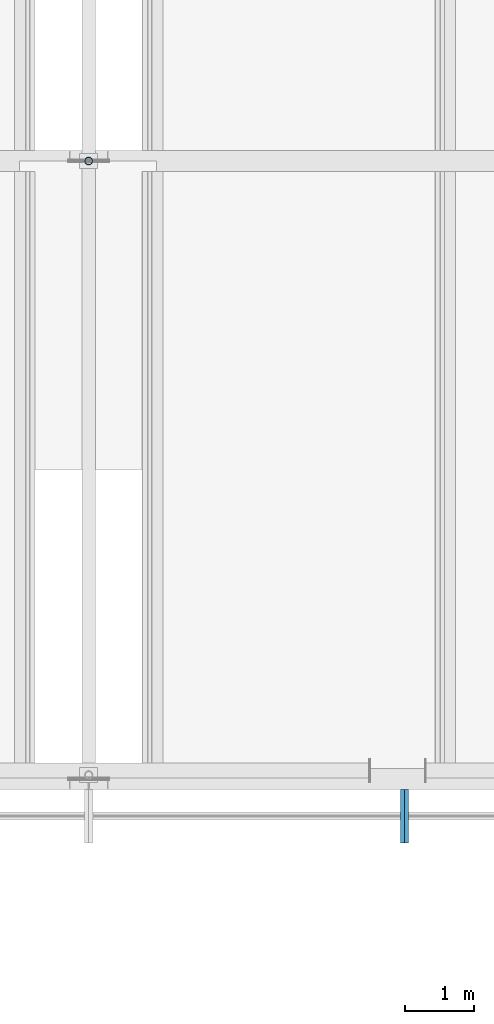
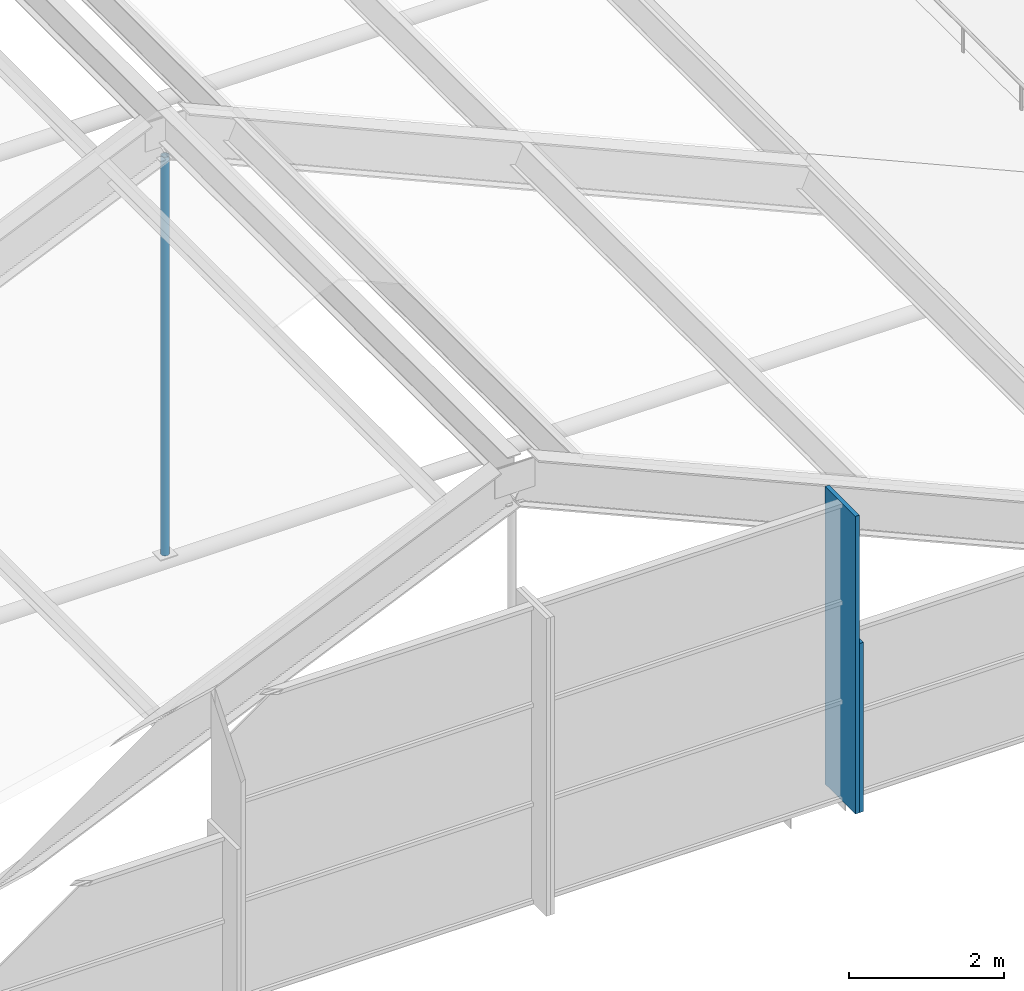
# One storey, part 39 of 106: 3 members, 2 elements without a shape of their own.
"""IFC4 building model written with IfcOpenShell, lengths in metres."""

from ifc_helpers import new_model, si_unit, direction, frame, origin, origin_2d, place, context, subcontext, project, spatial, rectangle, hollow_circle, extrude, material, layer, layer_set, material_profile, profile_set, type_object, element, aggregate, save


model = new_model("IFC4")

# Units and contexts
model_context = context("Model", 3, precision=1e-05, world=origin(), true_north=direction((0.0, 1.0)))
body_context = subcontext(model_context, "Body", "Model", "MODEL_VIEW")
ifc_project = project(units=[si_unit("LENGTHUNIT", "METRE"), si_unit("AREAUNIT", "SQUARE_METRE"), si_unit("VOLUMEUNIT", "CUBIC_METRE"), si_unit("PLANEANGLEUNIT", "RADIAN"), si_unit("MASSUNIT", "GRAM", prefix="KILO")], contexts=[model_context])

# Site, building, storey
site_placement = place(None, origin())
site = spatial("IfcSite", under=ifc_project, at=site_placement, CompositionType="ELEMENT")
building_placement = place(site_placement, origin())
building = spatial("IfcBuilding", under=site, at=building_placement, Name="Guidao Yard Department Store", CompositionType="ELEMENT")
storey_placement = place(building_placement, frame((0.0, 0.0, 10.5)))
storey = spatial("IfcBuildingStorey", under=building, at=storey_placement, Name="L02", CompositionType="ELEMENT", Elevation=10.5)

# Member
ifc_material_1 = material(Name="Steel Q355B", Category="steel")
ifc_material_profile_1 = material_profile(ifc_material_1, hollow_circle(Radius=0.056884765625, WallThickness=0.006103515625, at=origin_2d()), Name="CHS 114x6")
ifc_profile_set_1 = profile_set([ifc_material_profile_1], Name="Steel Q355B")
member_type_1 = type_object("IfcMemberType", Name="CHS 114x6", PredefinedType="BRACE", material=ifc_profile_set_1)
member_1_placement = place(storey_placement, frame((139.5, 63.0, -0.33447265625), z_axis=(0.0, 0.0, 1.0), x_axis=(1.0, 0.0, 0.0)))
element("IfcMember", 1, at=member_1_placement, inside=storey, type_object=member_type_1, Name="Roof web strut F02-01", PredefinedType="BRACE", context=body_context, shape_type="SweptSolid", body=[
    extrude(hollow_circle(Radius=0.056884765625, WallThickness=0.006103515625, at=origin_2d()), origin(), (0.0, 0.0, 1.0), 6.272705078125),
])

# Curtain wall, member
ifc_material_2 = material(Name="Aluminium and glass", Category="aluminium")
ifc_layer = layer(ifc_material_2, 0.159912109375)
ifc_layer_set = layer_set([ifc_layer], Name="Gable glazing CW7 1500 module")
curtain_wall_type = type_object("IfcCurtainWallType", Name="Gable glazing CW7 1500 module", PredefinedType="NOTDEFINED", material=ifc_layer_set)
curtain_wall_1_placement = place(storey_placement, origin())
curtain_wall_1 = element("IfcCurtainWall", 2, at=curtain_wall_1_placement, inside=storey, type_object=curtain_wall_type, Name="Gable glazing FS4", PredefinedType="NOTDEFINED")
ifc_material_3 = material(Name="Aluminium 6063-T5", Category="aluminium")
ifc_material_profile_2 = material_profile(ifc_material_3, rectangle(XDim=0.06005859375, YDim=0.780029296875, at=origin_2d()), Name="Mullion M3 60 x 780 aluminium pressure plate")
ifc_profile_set_2 = profile_set([ifc_material_profile_2], Name="Aluminium 6063-T5")
member_type_2 = type_object("IfcMemberType", Name="Mullion M3 60 x 780 aluminium pressure plate", PredefinedType="MULLION", material=ifc_profile_set_2)
member_2_placement = place(storey_placement, frame((144.06884765625, 53.4599609375, 0.0), z_axis=(0.0, 0.0, 1.0), x_axis=(-1.0, 0.0, 0.0)))
member_2 = element("IfcMember", 3, at=member_2_placement, type_object=member_type_2, Name="CW-TFS4 mullion 2", PredefinedType="MULLION", context=body_context, shape_type="SweptSolid", body=[
    extrude(rectangle(XDim=0.06005859375, YDim=0.780029296875, at=origin_2d()), origin(), (0.0, 0.0, 1.0), 4.68212890625),
])
aggregate(curtain_wall_1, [member_2])

curtain_wall_2_placement = place(storey_placement, origin())
curtain_wall_2 = element("IfcCurtainWall", 4, at=curtain_wall_2_placement, inside=storey, type_object=curtain_wall_type, Name="Gable glazing FS5", PredefinedType="NOTDEFINED")
member_3_placement = place(storey_placement, frame((144.12890625, 53.4599609375, 0.0), z_axis=(0.0, 0.0, 1.0), x_axis=(-1.0, 0.0, 0.0)))
member_3 = element("IfcMember", 5, at=member_3_placement, type_object=member_type_2, Name="CW-TFS5 mullion 1", PredefinedType="MULLION", context=body_context, shape_type="SweptSolid", body=[
    extrude(rectangle(XDim=0.06005859375, YDim=0.780029296875, at=origin_2d()), origin(), (0.0, 0.0, 1.0), 2.661376953125),
])
aggregate(curtain_wall_2, [member_3])

save(model, "model.ifc")
